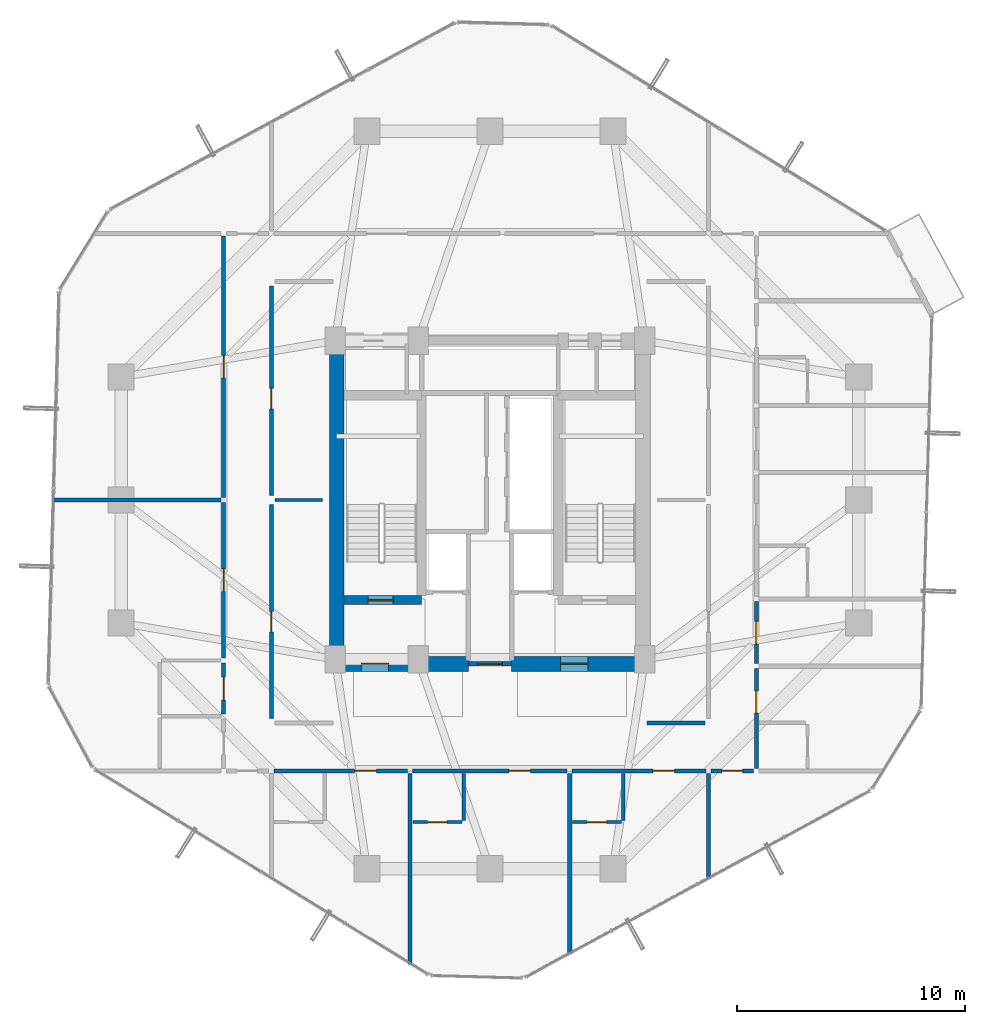
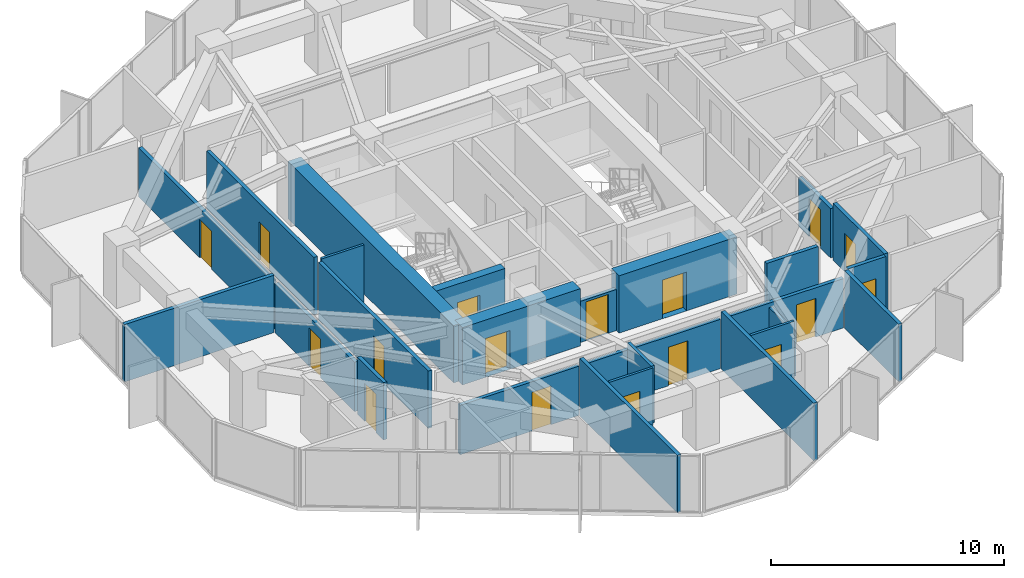
# One storey, part 26 of 30: 26 walls, 17 doors, 17 openings.
"""IFC4 building model written with IfcOpenShell, lengths in metres."""

import ifcopenshell
import ifcopenshell.guid

model = None  # the IFC model being written
_history = None  # IfcOwnerHistory: only IFC2X3 demands one
_inside = {}  # id of a spatial element -> (the spatial element, [elements in it])
_under = {}  # id of a project, library or spatial element -> (it, [spatial elements below it])
_declared = {}  # id of a project -> (the project, [libraries it declares])
_typed = {}  # id of a type object -> (the type object, [elements of that type])
_made_of = {}  # id of a material, layer set ... -> (it, [elements and type objects made of it])


def new_model(schema):
    """Start an empty IFC model of exactly this schema.

    Asked for "IFC4X3", IfcOpenShell would pick the latest addendum, in which some entities
    have other attributes; the version numbers below select the first issue.
    IFC2X3 requires an IfcOwnerHistory on every rooted entity: one is made here for all.
    """
    global model, _history
    if schema == "IFC4X3":
        model = ifcopenshell.file(schema_version=(4, 3, 0, 0))
    else:
        model = ifcopenshell.file(schema=schema)
    _inside.clear()
    _under.clear()
    _declared.clear()
    _typed.clear()
    _made_of.clear()
    _history = None
    if model.schema == "IFC2X3":
        org = make("IfcOrganization", Name="unknown")
        user = make(
            "IfcPersonAndOrganization",
            ThePerson=make("IfcPerson", FamilyName="unknown"),
            TheOrganization=org,
        )
        app = make(
            "IfcApplication",
            ApplicationDeveloper=org,
            Version="unknown",
            ApplicationFullName="unknown",
            ApplicationIdentifier="unknown",
        )
        _history = make(
            "IfcOwnerHistory",
            OwningUser=user,
            OwningApplication=app,
            ChangeAction="ADDED",
            CreationDate=0,
        )
    return model


def make(cls, **values):
    """One entity of the class cls with the attributes given. An attribute that is None is left unset."""
    return model.create_entity(
        cls, **{name: value for name, value in values.items() if value is not None}
    )


def rooted(cls, **values):
    """An entity with a GlobalId (a new one), such as an element, a storey or a relation."""
    return make(cls, GlobalId=ifcopenshell.guid.new(), OwnerHistory=_history, **values)


def si_unit(unit_type, name, prefix=None):
    """IfcSIUnit, for example si_unit("LENGTHUNIT", "METRE", prefix="MILLI")."""
    return make("IfcSIUnit", UnitType=unit_type, Prefix=prefix, Name=name)


def assignment(units):
    """IfcUnitAssignment: the units of a project."""
    return None if units is None else make("IfcUnitAssignment", Units=units)


def point(xyz):
    """IfcCartesianPoint."""
    return None if xyz is None else make("IfcCartesianPoint", Coordinates=xyz)


def direction(xyz):
    """IfcDirection."""
    return None if xyz is None else make("IfcDirection", DirectionRatios=xyz)


def frame(location, z_axis=None, x_axis=None):
    """IfcAxis2Placement3D, a coordinate frame: its origin and axes. An axis left out is left unset."""
    return make(
        "IfcAxis2Placement3D",
        Location=point(location),
        Axis=direction(z_axis),
        RefDirection=direction(x_axis),
    )


def frame_2d(location, x_axis=None):
    """IfcAxis2Placement2D, a coordinate frame in the plane: its origin and x axis."""
    return make(
        "IfcAxis2Placement2D", Location=point(location), RefDirection=direction(x_axis)
    )


def origin():
    """The frame at (0, 0, 0) with its axes left unset."""
    return frame((0.0, 0.0, 0.0))


def place(relative_to, where):
    """IfcLocalPlacement: puts the frame where relative to a parent placement (None: the world)."""
    return make(
        "IfcLocalPlacement", PlacementRelTo=relative_to, RelativePlacement=where
    )


def context(
    kind, dimensions, precision=None, world=None, true_north=None, identifier=None
):
    """IfcGeometricRepresentationContext, for example the 3D "Model" context."""
    return make(
        "IfcGeometricRepresentationContext",
        ContextIdentifier=identifier,
        ContextType=kind,
        CoordinateSpaceDimension=dimensions,
        Precision=precision,
        WorldCoordinateSystem=world,
        TrueNorth=true_north,
    )


def subcontext(parent, identifier, kind, view, scale=None):
    """IfcGeometricRepresentationSubContext, for example "Body" below "Model"."""
    return make(
        "IfcGeometricRepresentationSubContext",
        ContextIdentifier=identifier,
        ContextType=kind,
        ParentContext=parent,
        TargetScale=scale,
        TargetView=view,
    )


def project(units=None, contexts=None):
    """IfcProject with its units and contexts."""
    return rooted(
        "IfcProject",
        Name="project",
        RepresentationContexts=contexts,
        UnitsInContext=assignment(units),
    )


def spatial(cls, under=None, at=None, **own):
    """A site, building, storey or space (cls), placed at a placement, below another one or the project."""
    s = rooted(cls, ObjectPlacement=at, **own)
    if under is not None:
        _under.setdefault(under.id(), (under, []))[1].append(s)
    return s


def profile(cls, at=None, kind="AREA", **sizes):
    """A parametric profile (cls). Its sizes go by their IFC names, for example OverallWidth=200.0."""
    return make(cls, ProfileType=kind, Position=at, **sizes)


def rectangle(**sizes):
    """IfcRectangleProfileDef."""
    return profile("IfcRectangleProfileDef", **sizes)


def extrude(swept, where, along, depth):
    """IfcExtrudedAreaSolid: the profile swept, set in the frame where, extruded along a direction by depth."""
    return make(
        "IfcExtrudedAreaSolid",
        SweptArea=swept,
        Position=where,
        ExtrudedDirection=direction(along),
        Depth=depth,
    )


def shape(context_of_items, identifier, shape_type, items):
    """IfcShapeRepresentation: the items that make up one representation, for example the "Body"."""
    return make(
        "IfcShapeRepresentation",
        ContextOfItems=context_of_items,
        RepresentationIdentifier=identifier,
        RepresentationType=shape_type,
        Items=items,
    )


def source(mapping_origin, context_of_items, identifier, shape_type, items):
    """IfcRepresentationMap: a shape defined once, which mapped items show again and again."""
    return make(
        "IfcRepresentationMap",
        MappingOrigin=mapping_origin,
        MappedRepresentation=shape(context_of_items, identifier, shape_type, items),
    )


def transform(
    local_origin,
    x_axis=None,
    y_axis=None,
    z_axis=None,
    scale=None,
    scale2=None,
    scale3=None,
    uniform=True,
):
    """IfcCartesianTransformationOperator3D, or its non-uniform kind. x_axis, y_axis, z_axis: its Axis1, 2, 3."""
    if uniform:
        return make(
            "IfcCartesianTransformationOperator3D",
            Axis1=direction(x_axis),
            Axis2=direction(y_axis),
            LocalOrigin=point(local_origin),
            Scale=scale,
            Axis3=direction(z_axis),
        )
    return make(
        "IfcCartesianTransformationOperator3DnonUniform",
        Axis1=direction(x_axis),
        Axis2=direction(y_axis),
        LocalOrigin=point(local_origin),
        Scale=scale,
        Axis3=direction(z_axis),
        Scale2=scale2,
        Scale3=scale3,
    )


def mapped(mapping_source, mapping_target):
    """IfcMappedItem: shows the shape of a source again, moved by a transform."""
    return make(
        "IfcMappedItem", MappingSource=mapping_source, MappingTarget=mapping_target
    )


def material(Name=None, Category=None):
    """IfcMaterial."""
    return make("IfcMaterial", Name=Name, Category=Category)


def layer(
    of_material, thickness, ventilated=None, Name=None, Category=None, Priority=None
):
    """IfcMaterialLayer: one layer of a wall or slab, of a material (None: an air gap)."""
    return make(
        "IfcMaterialLayer",
        Material=of_material,
        LayerThickness=thickness,
        IsVentilated=ventilated,
        Name=Name,
        Category=Category,
        Priority=Priority,
    )


def layer_set(layers, Name=None):
    """IfcMaterialLayerSet."""
    return make("IfcMaterialLayerSet", MaterialLayers=layers, LayerSetName=Name)


def made_of(thing, what):
    """Note that an element or type object is made of a material, layer set ...; save() writes the relation."""
    if what is not None:
        _made_of.setdefault(what.id(), (what, []))[1].append(thing)
    return thing


def type_object(cls, material=None, **own):
    """A type object (cls), such as IfcWallType, which elements share."""
    return made_of(rooted(cls, **own), material)


def element(
    cls,
    number,
    at=None,
    inside=None,
    cuts=None,
    type_object=None,
    material=None,
    context=None,
    identifier="Body",
    shape_type=None,
    held_by="IfcProductDefinitionShape",
    body=None,
    shapes=None,
    **own,
):
    """One element of the class cls, such as IfcWall. Its Tag is "e" and its number.

    at: its placement. inside: the storey or other place that contains it. cuts: it is an
    opening in that element (IfcRelVoidsElement). A single representation is given by context,
    identifier, shape_type and body (its items); several are given by shapes. held_by: the class
    of the entity that holds the representations. save() writes the other relations.
    """
    e = rooted(cls, Tag="e%d" % number, ObjectPlacement=at, **own)
    if body is not None:
        shapes = [shape(context, identifier, shape_type, body)]
    if shapes is not None:
        e.Representation = make(held_by, Representations=shapes)
    if inside is not None:
        _inside.setdefault(inside.id(), (inside, []))[1].append(e)
    if cuts is not None:
        rooted(
            "IfcRelVoidsElement", RelatingBuildingElement=cuts, RelatedOpeningElement=e
        )
    if type_object is not None:
        _typed.setdefault(type_object.id(), (type_object, []))[1].append(e)
    return made_of(e, material)


def fill(opening, filler):
    """IfcRelFillsElement: the door or window that sits in an opening."""
    return rooted(
        "IfcRelFillsElement",
        RelatingOpeningElement=opening,
        RelatedBuildingElement=filler,
    )


def aggregate(whole, parts):
    """IfcRelAggregates: a whole, such as a stair, and the parts it consists of."""
    return rooted("IfcRelAggregates", RelatingObject=whole, RelatedObjects=parts)


def save(model, path):
    """Write the relations noted so far, then the file.

    IfcRelAggregates (storeys below a building ...), IfcRelContainedInSpatialStructure (elements
    in a storey), IfcRelDefinesByType, IfcRelAssociatesMaterial and IfcRelDeclares: one each for
    every whole, place, type object, material and project.
    """
    for whole, parts in _under.values():
        aggregate(whole, parts)
    for where, things in _inside.values():
        rooted(
            "IfcRelContainedInSpatialStructure",
            RelatedElements=things,
            RelatingStructure=where,
        )
    for kind, things in _typed.values():
        rooted("IfcRelDefinesByType", RelatedObjects=things, RelatingType=kind)
    for what, things in _made_of.values():
        rooted("IfcRelAssociatesMaterial", RelatedObjects=things, RelatingMaterial=what)
    for by, libraries in _declared.values():
        rooted("IfcRelDeclares", RelatingContext=by, RelatedDefinitions=libraries)
    model.write(path)


model = new_model("IFC4")

# Units and contexts
model_context = context("Model", 3, precision=1e-05, world=origin(), true_north=direction((0.0, 1.0)))
body_context = subcontext(model_context, "Body", "Model", "MODEL_VIEW")
ifc_project = project(units=[si_unit("LENGTHUNIT", "METRE"), si_unit("AREAUNIT", "SQUARE_METRE"), si_unit("VOLUMEUNIT", "CUBIC_METRE"), si_unit("PLANEANGLEUNIT", "RADIAN"), si_unit("MASSUNIT", "GRAM", prefix="KILO")], contexts=[model_context])

# Site, building, storey
site_placement = place(None, origin())
site = spatial("IfcSite", under=ifc_project, at=site_placement, CompositionType="ELEMENT")
building_placement = place(site_placement, origin())
building = spatial("IfcBuilding", under=site, at=building_placement, Name="Veraguas Prism Commons", CompositionType="ELEMENT")
storey_placement = place(building_placement, frame((0.0, 0.0, 123.0)))
storey = spatial("IfcBuildingStorey", under=building, at=storey_placement, Name="L34", CompositionType="ELEMENT", Elevation=123.0)

# Wall, opening, door
ifc_material_1 = material(Name="Concrete C50/60", Category="concrete")
ifc_layer_1 = layer(ifc_material_1, 0.39990234375, Name="Clinic and Mid Core Shear Wall RC 400", Category="concrete")
ifc_layer_set_1 = layer_set([ifc_layer_1], Name="Concrete C50/60")
wall_type_1 = type_object("IfcWallType", Name="Clinic and Mid Core Shear Wall RC 400", PredefinedType="SHEAR", material=ifc_layer_set_1)
wall_1_placement = place(storey_placement, frame((17.60009765625, 19.60009765625, 0.0), z_axis=(0.0, 0.0, 1.0), x_axis=(1.0, 0.0, 0.0)))
wall_1 = element("IfcWall", 1, at=wall_1_placement, inside=storey, type_object=wall_type_1, Name="Stair ST-01 South Shear Wall L34", PredefinedType="SHEAR", context=body_context, shape_type="SweptSolid", body=[
    extrude(rectangle(XDim=3.39990234375, YDim=0.39990234375, at=frame_2d((1.699951171875, 0.0))), origin(), (0.0, 0.0, 1.0), 3.0),
])
opening_1_placement = place(wall_1_placement, frame((1.050048828125, 0.0, 0.0)))
opening_1 = element("IfcOpeningElement", 2, at=opening_1_placement, cuts=wall_1, Name="Opening DR-05", PredefinedType="OPENING", context=body_context, shape_type="SweptSolid", body=[
    extrude(rectangle(XDim=1.10009765625, YDim=2.030029296875, at=frame_2d((0.550048828125, 1.01513671875))), frame((0.0, 0.2099609375, 0.0), z_axis=(0.0, -1.0, 0.0), x_axis=(1.0, 0.0, 0.0)), (0.0, 0.0, 1.0), 0.419921875),
])
ifc_material_2 = material(Name="Steel fire-rated door assembly", Category="steel")
door_type_1 = type_object("IfcDoorType", Name="Protected Stair and Refuge Fire Door 1100x2030", OperationType="NOTDEFINED", PredefinedType="DOOR", material=ifc_material_2)
shared_shape_1 = source(origin(), body_context, "Body", "SweptSolid", [
    extrude(rectangle(XDim=1.10009765625, YDim=2.030029296875, at=frame_2d((0.550048828125, 1.01513671875))), frame((0.0, 0.02490234375, 0.0), z_axis=(0.0, -1.0, 0.0), x_axis=(1.0, 0.0, 0.0)), (0.0, 0.0, 1.0), 0.050048828125),
])
door_1_placement = place(opening_1_placement, origin())
door_1 = element("IfcDoor", 3, at=door_1_placement, inside=storey, type_object=door_type_1, Name="Stair ST-01 Enclosure Door L34", OperationType="SINGLE_SWING_RIGHT", OverallHeight=2.030029296875, OverallWidth=1.10009765625, PredefinedType="DOOR", context=body_context, shape_type="MappedRepresentation", body=[
    mapped(shared_shape_1, transform((0.0, 0.0, 0.0), scale=1.0)),
])
fill(opening_1, door_1)

# Wall
ifc_material_3 = material(Name="Concrete C55/67", Category="concrete")
ifc_layer_2 = layer(ifc_material_3, 0.64990234375, Name="Core Outer Shear Wall Mid RC 650", Category="concrete")
ifc_layer_set_2 = layer_set([ifc_layer_2], Name="Concrete C55/67")
wall_type_2 = type_object("IfcWallType", Name="Core Outer Shear Wall Mid RC 650", PredefinedType="SHEAR", material=ifc_layer_set_2)
wall_2_placement = place(storey_placement, frame((17.27490234375, 16.800048828125, 0.0), z_axis=(0.0, 0.0, 1.0), x_axis=(0.0, 1.0, 0.0)))
element("IfcWall", 4, at=wall_2_placement, inside=storey, type_object=wall_type_2, Name="Central Core West Shear Wall L34", PredefinedType="SHEAR", context=body_context, shape_type="SweptSolid", body=[
    extrude(rectangle(XDim=14.199951171875, YDim=0.64990234375, at=frame_2d((7.10009765625, 0.0))), origin(), (0.0, 0.0, 1.0), 3.0),
])

# Wall, opening, door
wall_3_placement = place(storey_placement, frame((17.199951171875, 16.800048828125, 0.0), z_axis=(0.0, 0.0, 1.0), x_axis=(1.0, 0.0, 0.0)))
wall_3 = element("IfcWall", 5, at=wall_3_placement, inside=storey, type_object=wall_type_2, Name="Central Core South-West Shear Wall L34", PredefinedType="SHEAR", context=body_context, shape_type="SweptSolid", body=[
    extrude(rectangle(XDim=5.85009765625, YDim=0.64990234375, at=frame_2d((2.925048828125, 0.0))), origin(), (0.0, 0.0, 1.0), 3.0),
])
opening_2_placement = place(wall_3_placement, frame((1.14990234375, 0.0, 0.0)))
opening_2 = element("IfcOpeningElement", 6, at=opening_2_placement, cuts=wall_3, Name="Opening DR-06", PredefinedType="OPENING", context=body_context, shape_type="SweptSolid", body=[
    extrude(rectangle(XDim=1.199951171875, YDim=2.030029296875, at=frame_2d((0.60009765625, 1.01513671875))), frame((0.0, 0.3349609375, 0.0), z_axis=(0.0, -1.0, 0.0), x_axis=(1.0, 0.0, 0.0)), (0.0, 0.0, 1.0), 0.669921875),
])
door_type_2 = type_object("IfcDoorType", Name="Firefighting Lobby Smoke Door 1200x2030", OperationType="NOTDEFINED", PredefinedType="DOOR", material=ifc_material_2)
shared_shape_2 = source(origin(), body_context, "Body", "SweptSolid", [
    extrude(rectangle(XDim=1.199951171875, YDim=2.030029296875, at=frame_2d((0.60009765625, 1.01513671875))), frame((0.0, 0.02490234375, 0.0), z_axis=(0.0, -1.0, 0.0), x_axis=(1.0, 0.0, 0.0)), (0.0, 0.0, 1.0), 0.050048828125),
])
door_2_placement = place(opening_2_placement, origin())
door_2 = element("IfcDoor", 7, at=door_2_placement, inside=storey, type_object=door_type_2, Name="West FF Lobby Door L34", OperationType="SINGLE_SWING_RIGHT", OverallHeight=2.030029296875, OverallWidth=1.199951171875, PredefinedType="DOOR", context=body_context, shape_type="MappedRepresentation", body=[
    mapped(shared_shape_2, transform((0.0, 0.0, 0.0), scale=1.0)),
])
fill(opening_2, door_2)

wall_4_placement = place(storey_placement, frame((24.949951171875, 16.800048828125, 0.0), z_axis=(0.0, 0.0, 1.0), x_axis=(1.0, 0.0, 0.0)))
wall_4 = element("IfcWall", 8, at=wall_4_placement, inside=storey, type_object=wall_type_2, Name="Central Core South-East Shear Wall L34", PredefinedType="SHEAR", context=body_context, shape_type="SweptSolid", body=[
    extrude(rectangle(XDim=5.85009765625, YDim=0.64990234375, at=frame_2d((2.925048828125, 0.0))), origin(), (0.0, 0.0, 1.0), 3.0),
])
opening_3_placement = place(wall_4_placement, frame((2.14990234375, 0.0, 0.0)))
opening_3 = element("IfcOpeningElement", 9, at=opening_3_placement, cuts=wall_4, Name="Opening DR-06", PredefinedType="OPENING", context=body_context, shape_type="SweptSolid", body=[
    extrude(rectangle(XDim=1.199951171875, YDim=2.030029296875, at=frame_2d((0.60009765625, 1.01513671875))), frame((0.0, 0.3349609375, 0.0), z_axis=(0.0, -1.0, 0.0), x_axis=(1.0, 0.0, 0.0)), (0.0, 0.0, 1.0), 0.669921875),
])
door_3_placement = place(opening_3_placement, origin())
door_3 = element("IfcDoor", 10, at=door_3_placement, inside=storey, type_object=door_type_2, Name="East FF Lobby Door L34", OperationType="SINGLE_SWING_RIGHT", OverallHeight=2.030029296875, OverallWidth=1.199951171875, PredefinedType="DOOR", context=body_context, shape_type="MappedRepresentation", body=[
    mapped(shared_shape_2, transform((0.0, 0.0, 0.0), scale=1.0)),
])
fill(opening_3, door_3)

ifc_material_4 = material(Name="Autoclaved aerated masonry block 10 MPa", Category="masonry")
ifc_layer_3 = layer(ifc_material_4, 0.179931640625, Name="Corridor and Inter-Tenancy Partition 180", Category="masonry")
ifc_layer_set_3 = layer_set([ifc_layer_3], Name="Autoclaved aerated masonry block 10 MPa")
wall_type_3 = type_object("IfcWallType", Name="Corridor and Inter-Tenancy Partition 180", PredefinedType="PARTITIONING", material=ifc_layer_set_3)
wall_5_placement = place(storey_placement, frame((14.39990234375, 14.39990234375, 0.0), z_axis=(0.0, 0.0, 1.0), x_axis=(0.0, 1.0, 0.0)))
wall_5 = element("IfcWall", 11, at=wall_5_placement, inside=storey, type_object=wall_type_3, Name="WL-L34-IRW1", PredefinedType="PARTITIONING", context=body_context, shape_type="SweptSolid", body=[
    extrude(rectangle(XDim=9.400146484375, YDim=0.179931640625, at=frame_2d((4.7001953125, 0.0))), origin(), (0.0, 0.0, 1.0), 3.0),
])
opening_4_placement = place(wall_5_placement, frame((3.800048828125, 0.0, 0.0)))
opening_4 = element("IfcOpeningElement", 12, at=opening_4_placement, cuts=wall_5, Name="Opening DR-14", PredefinedType="OPENING", context=body_context, shape_type="SweptSolid", body=[
    extrude(rectangle(XDim=0.89990234375, YDim=2.010009765625, at=frame_2d((0.449951171875, 1.0048828125))), frame((0.0, 0.099853515625, 0.0), z_axis=(0.0, -1.0, 0.0), x_axis=(1.0, 0.0, 0.0)), (0.0, 0.0, 1.0), 0.199951171875),
])
door_type_3 = type_object("IfcDoorType", Name="Core Service Room Fire Door 900x2010", OperationType="NOTDEFINED", PredefinedType="DOOR", material=ifc_material_2)
shared_shape_3 = source(origin(), body_context, "Body", "SweptSolid", [
    extrude(rectangle(XDim=0.89990234375, YDim=2.010009765625, at=frame_2d((0.449951171875, 1.0048828125))), frame((0.0, 0.02490234375, 0.0), z_axis=(0.0, -1.0, 0.0), x_axis=(1.0, 0.0, 0.0)), (0.0, 0.0, 1.0), 0.050048828125),
])
door_4_placement = place(opening_4_placement, origin())
door_4 = element("IfcDoor", 13, at=door_4_placement, inside=storey, type_object=door_type_3, Name="Residents Quiet Study Pod Door L34", OperationType="SINGLE_SWING_LEFT", OverallHeight=2.010009765625, OverallWidth=0.89990234375, PredefinedType="DOOR", context=body_context, shape_type="MappedRepresentation", body=[
    mapped(shared_shape_3, transform((0.0, 0.0, 0.0), scale=1.0)),
])
fill(opening_4, door_4)

wall_6_placement = place(storey_placement, frame((14.39990234375, 24.199951171875, 0.0), z_axis=(0.0, 0.0, 1.0), x_axis=(0.0, 1.0, 0.0)))
wall_6 = element("IfcWall", 14, at=wall_6_placement, inside=storey, type_object=wall_type_3, Name="WL-L34-IRW2", PredefinedType="PARTITIONING", context=body_context, shape_type="SweptSolid", body=[
    extrude(rectangle(XDim=9.199951171875, YDim=0.179931640625, at=frame_2d((4.60009765625, 0.0))), origin(), (0.0, 0.0, 1.0), 3.0),
])
opening_5_placement = place(wall_6_placement, frame((3.800048828125, 0.0, 0.0)))
opening_5 = element("IfcOpeningElement", 15, at=opening_5_placement, cuts=wall_6, Name="Opening DR-14", PredefinedType="OPENING", context=body_context, shape_type="SweptSolid", body=[
    extrude(rectangle(XDim=0.89990234375, YDim=2.010009765625, at=frame_2d((0.449951171875, 1.0048828125))), frame((0.0, 0.099853515625, 0.0), z_axis=(0.0, -1.0, 0.0), x_axis=(1.0, 0.0, 0.0)), (0.0, 0.0, 1.0), 0.199951171875),
])
door_5_placement = place(opening_5_placement, origin())
door_5 = element("IfcDoor", 16, at=door_5_placement, inside=storey, type_object=door_type_3, Name="Co-op Cycle and Pram Store Door L34", OperationType="SINGLE_SWING_RIGHT", OverallHeight=2.010009765625, OverallWidth=0.89990234375, PredefinedType="DOOR", context=body_context, shape_type="MappedRepresentation", body=[
    mapped(shared_shape_3, transform((0.0, 0.0, 0.0), scale=1.0)),
])
fill(opening_5, door_5)

# Walls
wall_7_placement = place(storey_placement, frame((30.89990234375, 14.199951171875, 0.0), z_axis=(0.0, 0.0, 1.0), x_axis=(1.0, 0.0, 0.0)))
element("IfcWall", 17, at=wall_7_placement, inside=storey, type_object=wall_type_3, Name="WL-L34-IRES", PredefinedType="PARTITIONING", context=body_context, shape_type="SweptSolid", body=[
    extrude(rectangle(XDim=2.550048828125, YDim=0.179931640625, at=frame_2d((1.27490234375, 0.0))), origin(), (0.0, 0.0, 1.0), 3.0),
])
wall_8_placement = place(storey_placement, frame((33.60009765625, 11.97998046875, 0.0), z_axis=(0.0, 0.0, 1.0), x_axis=(0.0, -1.0, 0.0)))
element("IfcWall", 18, at=wall_8_placement, inside=storey, type_object=wall_type_3, Name="WL-L34-PT002", PredefinedType="PARTITIONING", context=body_context, shape_type="SweptSolid", body=[
    extrude(rectangle(XDim=4.630126953125, YDim=0.179931640625, at=frame_2d((2.31494140625, 0.0))), origin(), (0.0, 0.0, 1.0), 3.0),
])

# Wall, opening, door
wall_9_placement = place(storey_placement, frame((14.510009765625, 12.10009765625, 0.0), z_axis=(0.0, 0.0, 1.0), x_axis=(1.0, 0.0, 0.0)))
wall_9 = element("IfcWall", 19, at=wall_9_placement, inside=storey, type_object=wall_type_3, Name="WL-L34-PT003", PredefinedType="PARTITIONING", context=body_context, shape_type="SweptSolid", body=[
    extrude(rectangle(XDim=5.8759765625, YDim=0.179931640625, at=frame_2d((2.93798828125, 0.0))), origin(), (0.0, 0.0, 1.0), 2.580078125),
])
opening_6_placement = place(wall_9_placement, frame((3.54931640625, 0.0, 0.0)))
opening_6 = element("IfcOpeningElement", 20, at=opening_6_placement, cuts=wall_9, Name="Opening DR-01", PredefinedType="OPENING", context=body_context, shape_type="SweptSolid", body=[
    extrude(rectangle(XDim=0.949951171875, YDim=2.02001953125, at=frame_2d((0.47509765625, 1.010009765625))), frame((0.0, 0.099853515625, 0.0), z_axis=(0.0, -1.0, 0.0), x_axis=(1.0, 0.0, 0.0)), (0.0, 0.0, 1.0), 0.199951171875),
])
ifc_material_5 = material(Name="Anodised aluminium EN AW-6063 T6", Category="aluminium")
door_type_4 = type_object("IfcDoorType", Name="Apartment Entrance Fire Door 950x2020", OperationType="NOTDEFINED", PredefinedType="DOOR", material=ifc_material_5)
shared_shape_4 = source(origin(), body_context, "Body", "SweptSolid", [
    extrude(rectangle(XDim=0.949951171875, YDim=2.02001953125, at=frame_2d((0.47509765625, 1.010009765625))), frame((0.0, 0.02490234375, 0.0), z_axis=(0.0, -1.0, 0.0), x_axis=(1.0, 0.0, 0.0)), (0.0, 0.0, 1.0), 0.050048828125),
])
door_6_placement = place(opening_6_placement, origin())
door_6 = element("IfcDoor", 21, at=door_6_placement, inside=storey, type_object=door_type_4, Name="Studio 34A Entrance Door", OperationType="SINGLE_SWING_LEFT", OverallHeight=2.02001953125, OverallWidth=0.949951171875, PredefinedType="DOOR", context=body_context, shape_type="MappedRepresentation", body=[
    mapped(shared_shape_4, transform((0.0, 0.0, 0.0), scale=1.0)),
])
fill(opening_6, door_6)

# Wall
wall_10_placement = place(storey_placement, frame((20.49609375, 11.97998046875, 0.0), z_axis=(0.0, 0.0, 1.0), x_axis=(0.0, -1.0, 0.0)))
element("IfcWall", 22, at=wall_10_placement, inside=storey, type_object=wall_type_3, Name="WL-L34-PT006", PredefinedType="PARTITIONING", context=body_context, shape_type="SweptSolid", body=[
    extrude(rectangle(XDim=8.378173828125, YDim=0.179931640625, at=frame_2d((4.18896484375, 0.0))), origin(), (0.0, 0.0, 1.0), 3.0),
])

# Wall, opening, door
wall_11_placement = place(storey_placement, frame((20.60595703125, 12.10009765625, 0.0), z_axis=(0.0, 0.0, 1.0), x_axis=(1.0, 0.0, 0.0)))
wall_11 = element("IfcWall", 23, at=wall_11_placement, inside=storey, type_object=wall_type_3, Name="WL-L34-PT007", PredefinedType="PARTITIONING", context=body_context, shape_type="SweptSolid", body=[
    extrude(rectangle(XDim=6.7880859375, YDim=0.179931640625, at=frame_2d((3.39404296875, 0.0))), origin(), (0.0, 0.0, 1.0), 2.580078125),
])
opening_7_placement = place(wall_11_placement, frame((4.22412109375, 0.0, 0.0)))
opening_7 = element("IfcOpeningElement", 24, at=opening_7_placement, cuts=wall_11, Name="Opening DR-01", PredefinedType="OPENING", context=body_context, shape_type="SweptSolid", body=[
    extrude(rectangle(XDim=0.949951171875, YDim=2.02001953125, at=frame_2d((0.47509765625, 1.010009765625))), frame((0.0, 0.099853515625, 0.0), z_axis=(0.0, -1.0, 0.0), x_axis=(1.0, 0.0, 0.0)), (0.0, 0.0, 1.0), 0.199951171875),
])
door_7_placement = place(opening_7_placement, origin())
door_7 = element("IfcDoor", 25, at=door_7_placement, inside=storey, type_object=door_type_4, Name="Studio 34B Entrance Door", OperationType="SINGLE_SWING_LEFT", OverallHeight=2.02001953125, OverallWidth=0.949951171875, PredefinedType="DOOR", context=body_context, shape_type="MappedRepresentation", body=[
    mapped(shared_shape_4, transform((0.0, 0.0, 0.0), scale=1.0)),
])
fill(opening_7, door_7)

# Wall
wall_12_placement = place(storey_placement, frame((27.50390625, 11.97998046875, 0.0), z_axis=(0.0, 0.0, 1.0), x_axis=(0.0, -1.0, 0.0)))
element("IfcWall", 26, at=wall_12_placement, inside=storey, type_object=wall_type_3, Name="WL-L34-PT010", PredefinedType="PARTITIONING", context=body_context, shape_type="SweptSolid", body=[
    extrude(rectangle(XDim=7.928955078125, YDim=0.179931640625, at=frame_2d((3.96435546875, 0.0))), origin(), (0.0, 0.0, 1.0), 3.0),
])

# Wall, opening, door
wall_13_placement = place(storey_placement, frame((27.614013671875, 12.10009765625, 0.0), z_axis=(0.0, 0.0, 1.0), x_axis=(1.0, 0.0, 0.0)))
wall_13 = element("IfcWall", 27, at=wall_13_placement, inside=storey, type_object=wall_type_3, Name="WL-L34-PT011", PredefinedType="PARTITIONING", context=body_context, shape_type="SweptSolid", body=[
    extrude(rectangle(XDim=5.8759765625, YDim=0.179931640625, at=frame_2d((2.93798828125, 0.0))), origin(), (0.0, 0.0, 1.0), 2.580078125),
])
opening_8_placement = place(wall_13_placement, frame((3.54931640625, 0.0, 0.0)))
opening_8 = element("IfcOpeningElement", 28, at=opening_8_placement, cuts=wall_13, Name="Opening DR-01", PredefinedType="OPENING", context=body_context, shape_type="SweptSolid", body=[
    extrude(rectangle(XDim=0.949951171875, YDim=2.02001953125, at=frame_2d((0.47509765625, 1.010009765625))), frame((0.0, 0.099853515625, 0.0), z_axis=(0.0, -1.0, 0.0), x_axis=(1.0, 0.0, 0.0)), (0.0, 0.0, 1.0), 0.199951171875),
])
door_8_placement = place(opening_8_placement, origin())
door_8 = element("IfcDoor", 29, at=door_8_placement, inside=storey, type_object=door_type_4, Name="Studio 34C Entrance Door", OperationType="SINGLE_SWING_LEFT", OverallHeight=2.02001953125, OverallWidth=0.949951171875, PredefinedType="DOOR", context=body_context, shape_type="MappedRepresentation", body=[
    mapped(shared_shape_4, transform((0.0, 0.0, 0.0), scale=1.0)),
])
fill(opening_8, door_8)

wall_14_placement = place(storey_placement, frame((12.300048828125, 14.610107421875, 0.0), z_axis=(0.0, 0.0, 1.0), x_axis=(0.0, 1.0, 0.0)))
wall_14 = element("IfcWall", 30, at=wall_14_placement, inside=storey, type_object=wall_type_3, Name="WL-L34-PT021", PredefinedType="PARTITIONING", context=body_context, shape_type="SweptSolid", body=[
    extrude(rectangle(XDim=2.22998046875, YDim=0.179931640625, at=frame_2d((1.114990234375, 0.0))), origin(), (0.0, 0.0, 1.0), 3.0),
])
opening_9_placement = place(wall_14_placement, frame((0.614990234375, 0.0, 0.0)))
opening_9 = element("IfcOpeningElement", 31, at=opening_9_placement, cuts=wall_14, Name="Opening DR-13", PredefinedType="OPENING", context=body_context, shape_type="SweptSolid", body=[
    extrude(rectangle(XDim=1.0, YDim=2.010009765625, at=frame_2d((0.5, 1.0048828125))), frame((0.0, 0.099853515625, 0.0), z_axis=(0.0, -1.0, 0.0), x_axis=(1.0, 0.0, 0.0)), (0.0, 0.0, 1.0), 0.199951171875),
])
door_type_5 = type_object("IfcDoorType", Name="Core Accessible WC and Clinic Fire Door 1000x2010", OperationType="NOTDEFINED", PredefinedType="DOOR", material=ifc_material_2)
shared_shape_5 = source(origin(), body_context, "Body", "SweptSolid", [
    extrude(rectangle(XDim=1.0, YDim=2.010009765625, at=frame_2d((0.5, 1.0048828125))), frame((0.0, 0.02490234375, 0.0), z_axis=(0.0, -1.0, 0.0), x_axis=(1.0, 0.0, 0.0)), (0.0, 0.0, 1.0), 0.050048828125),
])
door_9_placement = place(opening_9_placement, origin())
door_9 = element("IfcDoor", 32, at=door_9_placement, inside=storey, type_object=door_type_5, Name="Accessible WC L34 Door", OperationType="SINGLE_SWING_RIGHT", OverallHeight=2.010009765625, OverallWidth=1.0, PredefinedType="DOOR", context=body_context, shape_type="MappedRepresentation", body=[
    mapped(shared_shape_5, transform((0.0, 0.0, 0.0), scale=1.0)),
])
fill(opening_9, door_9)

wall_15_placement = place(storey_placement, frame((12.300048828125, 17.06005859375, 0.0), z_axis=(0.0, 0.0, 1.0), x_axis=(0.0, 1.0, 0.0)))
wall_15 = element("IfcWall", 33, at=wall_15_placement, inside=storey, type_object=wall_type_3, Name="WL-L34-PT022", PredefinedType="PARTITIONING", context=body_context, shape_type="SweptSolid", body=[
    extrude(rectangle(XDim=6.829833984375, YDim=0.179931640625, at=frame_2d((3.4150390625, 0.0))), origin(), (0.0, 0.0, 1.0), 2.580078125),
])
opening_10_placement = place(wall_15_placement, frame((2.9150390625, 0.0, 0.0)))
opening_10 = element("IfcOpeningElement", 34, at=opening_10_placement, cuts=wall_15, Name="Opening DR-13", PredefinedType="OPENING", context=body_context, shape_type="SweptSolid", body=[
    extrude(rectangle(XDim=1.0, YDim=2.010009765625, at=frame_2d((0.5, 1.0048828125))), frame((0.0, 0.099853515625, 0.0), z_axis=(0.0, -1.0, 0.0), x_axis=(1.0, 0.0, 0.0)), (0.0, 0.0, 1.0), 0.199951171875),
])
door_10_placement = place(opening_10_placement, origin())
door_10 = element("IfcDoor", 35, at=door_10_placement, inside=storey, type_object=door_type_5, Name="Quiet Study L34 Door", OperationType="SINGLE_SWING_LEFT", OverallHeight=2.010009765625, OverallWidth=1.0, PredefinedType="DOOR", context=body_context, shape_type="MappedRepresentation", body=[
    mapped(shared_shape_5, transform((0.0, 0.0, 0.0), scale=1.0)),
])
fill(opening_10, door_10)

wall_16_placement = place(storey_placement, frame((12.300048828125, 24.110107421875, 0.0), z_axis=(0.0, 0.0, 1.0), x_axis=(0.0, 1.0, 0.0)))
wall_16 = element("IfcWall", 36, at=wall_16_placement, inside=storey, type_object=wall_type_3, Name="WL-L34-PT023", PredefinedType="PARTITIONING", context=body_context, shape_type="SweptSolid", body=[
    extrude(rectangle(XDim=11.47998046875, YDim=0.179931640625, at=frame_2d((5.739990234375, 0.0))), origin(), (0.0, 0.0, 1.0), 2.580078125),
])
opening_11_placement = place(wall_16_placement, frame((5.239990234375, 0.0, 0.0)))
opening_11 = element("IfcOpeningElement", 37, at=opening_11_placement, cuts=wall_16, Name="Opening DR-13", PredefinedType="OPENING", context=body_context, shape_type="SweptSolid", body=[
    extrude(rectangle(XDim=1.0, YDim=2.010009765625, at=frame_2d((0.5, 1.0048828125))), frame((0.0, 0.099853515625, 0.0), z_axis=(0.0, -1.0, 0.0), x_axis=(1.0, 0.0, 0.0)), (0.0, 0.0, 1.0), 0.199951171875),
])
door_11_placement = place(opening_11_placement, origin())
door_11 = element("IfcDoor", 38, at=door_11_placement, inside=storey, type_object=door_type_5, Name="Reading Lounge L34 Door", OperationType="SINGLE_SWING_RIGHT", OverallHeight=2.010009765625, OverallWidth=1.0, PredefinedType="DOOR", context=body_context, shape_type="MappedRepresentation", body=[
    mapped(shared_shape_5, transform((0.0, 0.0, 0.0), scale=1.0)),
])
fill(opening_11, door_11)

# Wall
wall_17_placement = place(storey_placement, frame((12.179931640625, 24.0, 0.0), z_axis=(0.0, 0.0, 1.0), x_axis=(-1.0, 0.0, 0.0)))
element("IfcWall", 39, at=wall_17_placement, inside=storey, type_object=wall_type_3, Name="WL-L34-PT028", PredefinedType="PARTITIONING", context=body_context, shape_type="SweptSolid", body=[
    extrude(rectangle(XDim=7.399658203125, YDim=0.179931640625, at=frame_2d((3.69970703125, 0.0))), origin(), (0.0, 0.0, 1.0), 3.0),
])

# Wall, opening, door
wall_18_placement = place(storey_placement, frame((35.699951171875, 16.80810546875, 0.0), z_axis=(0.0, 0.0, 1.0), x_axis=(0.0, 1.0, 0.0)))
wall_18 = element("IfcWall", 40, at=wall_18_placement, inside=storey, type_object=wall_type_3, Name="WL-L34-PT031", PredefinedType="PARTITIONING", context=body_context, shape_type="SweptSolid", body=[
    extrude(rectangle(XDim=2.72998046875, YDim=0.179931640625, at=frame_2d((1.364990234375, 0.0))), origin(), (0.0, 0.0, 1.0), 2.580078125),
])
opening_12_placement = place(wall_18_placement, frame((0.864990234375, 0.0, 0.0)))
opening_12 = element("IfcOpeningElement", 41, at=opening_12_placement, cuts=wall_18, Name="Opening DR-13", PredefinedType="OPENING", context=body_context, shape_type="SweptSolid", body=[
    extrude(rectangle(XDim=1.0, YDim=2.010009765625, at=frame_2d((0.5, 1.0048828125))), frame((0.0, 0.099853515625, 0.0), z_axis=(0.0, -1.0, 0.0), x_axis=(1.0, 0.0, 0.0)), (0.0, 0.0, 1.0), 0.199951171875),
])
door_12_placement = place(opening_12_placement, origin())
door_12 = element("IfcDoor", 42, at=door_12_placement, inside=storey, type_object=door_type_5, Name="Quiet Study E Door", OperationType="SINGLE_SWING_LEFT", OverallHeight=2.010009765625, OverallWidth=1.0, PredefinedType="DOOR", context=body_context, shape_type="MappedRepresentation", body=[
    mapped(shared_shape_5, transform((0.0, 0.0, 0.0), scale=1.0)),
])
fill(opening_12, door_12)

wall_19_placement = place(storey_placement, frame((35.699951171875, 12.2099609375, 0.0), z_axis=(0.0, 0.0, 1.0), x_axis=(0.0, 1.0, 0.0)))
wall_19 = element("IfcWall", 43, at=wall_19_placement, inside=storey, type_object=wall_type_3, Name="WL-L34-PT033", PredefinedType="PARTITIONING", context=body_context, shape_type="SweptSolid", body=[
    extrude(rectangle(XDim=4.3779296875, YDim=0.179931640625, at=frame_2d((2.18896484375, 0.0))), origin(), (0.0, 0.0, 1.0), 3.0),
])
opening_13_placement = place(wall_19_placement, frame((2.440673828125, 0.0, 0.0)))
opening_13 = element("IfcOpeningElement", 44, at=opening_13_placement, cuts=wall_19, Name="Opening DR-01", PredefinedType="OPENING", context=body_context, shape_type="SweptSolid", body=[
    extrude(rectangle(XDim=0.949951171875, YDim=2.02001953125, at=frame_2d((0.47509765625, 1.010009765625))), frame((0.0, 0.099853515625, 0.0), z_axis=(0.0, -1.0, 0.0), x_axis=(1.0, 0.0, 0.0)), (0.0, 0.0, 1.0), 0.199951171875),
])
door_13_placement = place(opening_13_placement, origin())
door_13 = element("IfcDoor", 45, at=door_13_placement, inside=storey, type_object=door_type_4, Name="Studio 34D Entrance Door", OperationType="SINGLE_SWING_RIGHT", OverallHeight=2.02001953125, OverallWidth=0.949951171875, PredefinedType="DOOR", context=body_context, shape_type="MappedRepresentation", body=[
    mapped(shared_shape_4, transform((0.0, 0.0, 0.0), scale=1.0)),
])
fill(opening_13, door_13)

wall_20_placement = place(storey_placement, frame((33.719970703125, 12.10009765625, 0.0), z_axis=(0.0, 0.0, 1.0), x_axis=(1.0, 0.0, 0.0)))
wall_20 = element("IfcWall", 46, at=wall_20_placement, inside=storey, type_object=wall_type_3, Name="WL-L34-PT049", PredefinedType="PARTITIONING", context=body_context, shape_type="SweptSolid", body=[
    extrude(rectangle(XDim=1.860107421875, YDim=0.179931640625, at=frame_2d((0.93017578125, 0.0))), origin(), (0.0, 0.0, 1.0), 3.0),
])
opening_14_placement = place(wall_20_placement, frame((0.47998046875, 0.0, 0.0)))
opening_14 = element("IfcOpeningElement", 47, at=opening_14_placement, cuts=wall_20, Name="Opening DR-14", PredefinedType="OPENING", context=body_context, shape_type="SweptSolid", body=[
    extrude(rectangle(XDim=0.89990234375, YDim=2.010009765625, at=frame_2d((0.449951171875, 1.0048828125))), frame((0.0, 0.099853515625, 0.0), z_axis=(0.0, -1.0, 0.0), x_axis=(1.0, 0.0, 0.0)), (0.0, 0.0, 1.0), 0.199951171875),
])
door_14_placement = place(opening_14_placement, origin())
door_14 = element("IfcDoor", 48, at=door_14_placement, inside=storey, type_object=door_type_3, Name="Corner Study SE Door", OperationType="SINGLE_SWING_LEFT", OverallHeight=2.010009765625, OverallWidth=0.89990234375, PredefinedType="DOOR", context=body_context, shape_type="MappedRepresentation", body=[
    mapped(shared_shape_3, transform((0.0, 0.0, 0.0), scale=1.0)),
])
fill(opening_14, door_14)

# Wall
ifc_material_6 = material(Name="Lightweight acoustic gypsum board")
ifc_layer_4 = layer(ifc_material_6, 0.125, Name="Internal Apartment Room Partition 125")
ifc_layer_set_4 = layer_set([ifc_layer_4], Name="Lightweight acoustic gypsum board")
wall_type_4 = type_object("IfcWallType", Name="Internal Apartment Room Partition 125", PredefinedType="PARTITIONING", material=ifc_layer_set_4)
wall_21_placement = place(storey_placement, frame((14.550048828125, 24.0, 0.0), z_axis=(0.0, 0.0, 1.0), x_axis=(1.0, 0.0, 0.0)))
element("IfcWall", 49, at=wall_21_placement, inside=storey, type_object=wall_type_4, Name="WL-L34-IRWM", PredefinedType="PARTITIONING", context=body_context, shape_type="SweptSolid", body=[
    extrude(rectangle(XDim=2.099853515625, YDim=0.125, at=frame_2d((1.0498046875, 0.0))), origin(), (0.0, 0.0, 1.0), 3.0),
])

# Wall, opening, door
wall_22_placement = place(storey_placement, frame((20.615966796875, 9.85009765625, 0.0), z_axis=(0.0, 0.0, 1.0), x_axis=(1.0, 0.0, 0.0)))
wall_22 = element("IfcWall", 50, at=wall_22_placement, inside=storey, type_object=wall_type_4, Name="WL-L34-PT009", PredefinedType="PARTITIONING", context=body_context, shape_type="SweptSolid", body=[
    extrude(rectangle(XDim=2.150146484375, YDim=0.125, at=frame_2d((1.0751953125, 0.0))), origin(), (0.0, 0.0, 1.0), 3.0),
])
opening_15_placement = place(wall_22_placement, frame((0.64501953125, 0.0, 0.0)))
opening_15 = element("IfcOpeningElement", 51, at=opening_15_placement, cuts=wall_22, Name="Opening DR-03", PredefinedType="OPENING", context=body_context, shape_type="SweptSolid", body=[
    extrude(rectangle(XDim=0.860107421875, YDim=2.010009765625, at=frame_2d((0.43017578125, 1.0048828125))), frame((0.0, 0.072509765625, 0.0), z_axis=(0.0, -1.0, 0.0), x_axis=(1.0, 0.0, 0.0)), (0.0, 0.0, 1.0), 0.14501953125),
])
ifc_material_7 = material(Name="Timber moisture-resistant leaf", Category="wood")
door_type_6 = type_object("IfcDoorType", Name="Internal Bathroom Door 860x2010", OperationType="NOTDEFINED", PredefinedType="DOOR", material=ifc_material_7)
shared_shape_6 = source(origin(), body_context, "Body", "SweptSolid", [
    extrude(rectangle(XDim=0.860107421875, YDim=2.010009765625, at=frame_2d((0.43017578125, 1.0048828125))), frame((0.0, 0.02490234375, 0.0), z_axis=(0.0, -1.0, 0.0), x_axis=(1.0, 0.0, 0.0)), (0.0, 0.0, 1.0), 0.050048828125),
])
door_15_placement = place(opening_15_placement, origin())
door_15 = element("IfcDoor", 52, at=door_15_placement, inside=storey, type_object=door_type_6, Name="Studio 34B Bathroom Door", OperationType="SINGLE_SWING_RIGHT", OverallHeight=2.010009765625, OverallWidth=0.860107421875, PredefinedType="DOOR", context=body_context, shape_type="MappedRepresentation", body=[
    mapped(shared_shape_6, transform((0.0, 0.0, 0.0), scale=1.0)),
])
fill(opening_15, door_15)

wall_23_placement = place(storey_placement, frame((27.6240234375, 9.85009765625, 0.0), z_axis=(0.0, 0.0, 1.0), x_axis=(1.0, 0.0, 0.0)))
wall_23 = element("IfcWall", 53, at=wall_23_placement, inside=storey, type_object=wall_type_4, Name="WL-L34-PT013", PredefinedType="PARTITIONING", context=body_context, shape_type="SweptSolid", body=[
    extrude(rectangle(XDim=2.14990234375, YDim=0.125, at=frame_2d((1.074951171875, 0.0))), origin(), (0.0, 0.0, 1.0), 3.0),
])
opening_16_placement = place(wall_23_placement, frame((0.64501953125, 0.0, 0.0)))
opening_16 = element("IfcOpeningElement", 54, at=opening_16_placement, cuts=wall_23, Name="Opening DR-03", PredefinedType="OPENING", context=body_context, shape_type="SweptSolid", body=[
    extrude(rectangle(XDim=0.860107421875, YDim=2.010009765625, at=frame_2d((0.43017578125, 1.0048828125))), frame((0.0, 0.072509765625, 0.0), z_axis=(0.0, -1.0, 0.0), x_axis=(1.0, 0.0, 0.0)), (0.0, 0.0, 1.0), 0.14501953125),
])
door_16_placement = place(opening_16_placement, origin())
door_16 = element("IfcDoor", 55, at=door_16_placement, inside=storey, type_object=door_type_6, Name="Studio 34C Bathroom Door", OperationType="SINGLE_SWING_RIGHT", OverallHeight=2.010009765625, OverallWidth=0.860107421875, PredefinedType="DOOR", context=body_context, shape_type="MappedRepresentation", body=[
    mapped(shared_shape_6, transform((0.0, 0.0, 0.0), scale=1.0)),
])
fill(opening_16, door_16)

ifc_layer_5 = layer(ifc_material_4, 0.199951171875, Name="Rated Shaft and Lobby Block Wall 200", Category="masonry")
ifc_layer_set_5 = layer_set([ifc_layer_5], Name="Autoclaved aerated masonry block 10 MPa")
wall_type_5 = type_object("IfcWallType", Name="Rated Shaft and Lobby Block Wall 200", PredefinedType="SOLIDWALL", material=ifc_layer_set_5)
wall_24_placement = place(storey_placement, frame((23.050048828125, 16.800048828125, 0.0), z_axis=(0.0, 0.0, 1.0), x_axis=(1.0, 0.0, 0.0)))
wall_24 = element("IfcWall", 56, at=wall_24_placement, inside=storey, type_object=wall_type_5, Name="Central Core Lobby Entrance Wall L34", PredefinedType="SOLIDWALL", context=body_context, shape_type="SweptSolid", body=[
    extrude(rectangle(XDim=1.89990234375, YDim=0.199951171875, at=frame_2d((0.949951171875, 0.0))), origin(), (0.0, 0.0, 1.0), 2.14990234375),
])
opening_17_placement = place(wall_24_placement, frame((0.39990234375, 0.0, 0.0)))
opening_17 = element("IfcOpeningElement", 57, at=opening_17_placement, cuts=wall_24, Name="Opening DR-05", PredefinedType="OPENING", context=body_context, shape_type="SweptSolid", body=[
    extrude(rectangle(XDim=1.10009765625, YDim=2.030029296875, at=frame_2d((0.550048828125, 1.01513671875))), frame((0.0, 0.10986328125, 0.0), z_axis=(0.0, -1.0, 0.0), x_axis=(1.0, 0.0, 0.0)), (0.0, 0.0, 1.0), 0.219970703125),
])
door_17_placement = place(opening_17_placement, origin())
door_17 = element("IfcDoor", 58, at=door_17_placement, inside=storey, type_object=door_type_1, Name="Central Lobby Door L34", OperationType="SINGLE_SWING_LEFT", OverallHeight=2.030029296875, OverallWidth=1.10009765625, PredefinedType="DOOR", context=body_context, shape_type="MappedRepresentation", body=[
    mapped(shared_shape_1, transform((0.0, 0.0, 0.0), scale=1.0)),
])
fill(opening_17, door_17)

# Walls
ifc_layer_6 = layer(ifc_material_6, 0.14990234375, Name="Wet Room and Clinic Acoustic Partition 150")
ifc_layer_set_6 = layer_set([ifc_layer_6], Name="Lightweight acoustic gypsum board")
wall_type_6 = type_object("IfcWallType", Name="Wet Room and Clinic Acoustic Partition 150", PredefinedType="PARTITIONING", material=ifc_layer_set_6)
wall_25_placement = place(storey_placement, frame((22.845947265625, 11.97998046875, 0.0), z_axis=(0.0, 0.0, 1.0), x_axis=(0.0, -1.0, 0.0)))
element("IfcWall", 59, at=wall_25_placement, inside=storey, type_object=wall_type_6, Name="WL-L34-PT008", PredefinedType="PARTITIONING", context=body_context, shape_type="SweptSolid", body=[
    extrude(rectangle(XDim=2.050048828125, YDim=0.14990234375, at=frame_2d((1.02490234375, 0.0))), origin(), (0.0, 0.0, 1.0), 3.0),
])
wall_26_placement = place(storey_placement, frame((29.85400390625, 11.97998046875, 0.0), z_axis=(0.0, 0.0, 1.0), x_axis=(0.0, -1.0, 0.0)))
element("IfcWall", 60, at=wall_26_placement, inside=storey, type_object=wall_type_6, Name="WL-L34-PT012", PredefinedType="PARTITIONING", context=body_context, shape_type="SweptSolid", body=[
    extrude(rectangle(XDim=2.050048828125, YDim=0.14990234375, at=frame_2d((1.02490234375, 0.0))), origin(), (0.0, 0.0, 1.0), 2.3779296875),
])

save(model, "model.ifc")
